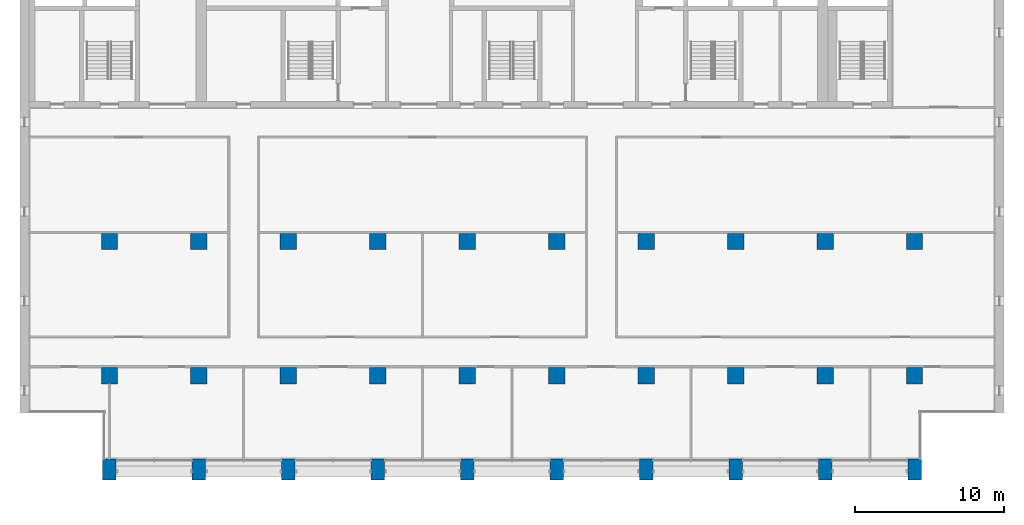
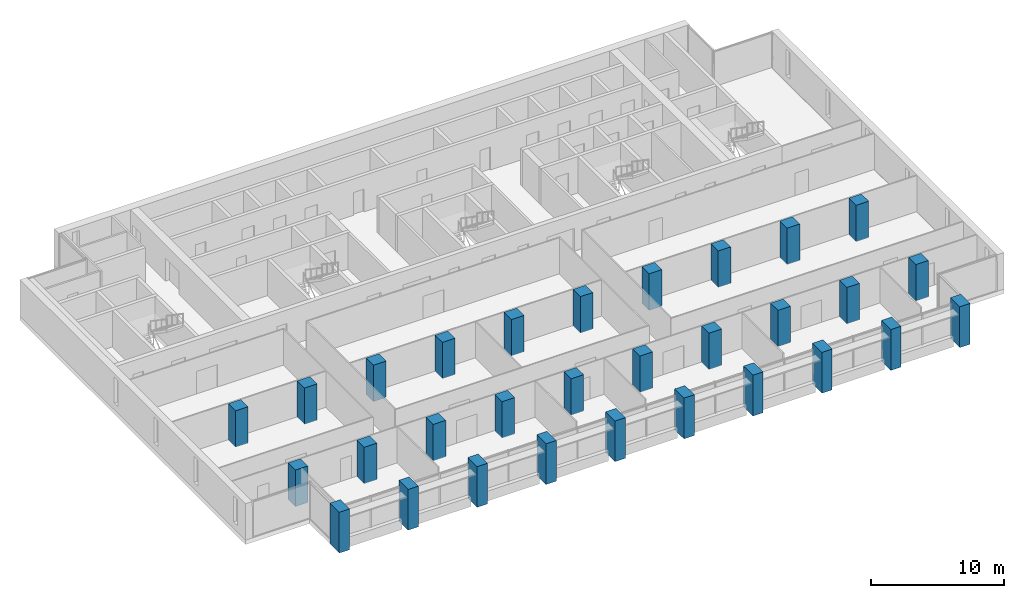
# One storey, part 1 of 17: 30 columns.
"""IFC4 building model written with IfcOpenShell, lengths in metres."""

import ifcopenshell
import ifcopenshell.guid

model = None  # the IFC model being written
_history = None  # IfcOwnerHistory: only IFC2X3 demands one
_inside = {}  # id of a spatial element -> (the spatial element, [elements in it])
_under = {}  # id of a project, library or spatial element -> (it, [spatial elements below it])
_declared = {}  # id of a project -> (the project, [libraries it declares])
_typed = {}  # id of a type object -> (the type object, [elements of that type])
_made_of = {}  # id of a material, layer set ... -> (it, [elements and type objects made of it])


def new_model(schema):
    """Start an empty IFC model of exactly this schema.

    Asked for "IFC4X3", IfcOpenShell would pick the latest addendum, in which some entities
    have other attributes; the version numbers below select the first issue.
    IFC2X3 requires an IfcOwnerHistory on every rooted entity: one is made here for all.
    """
    global model, _history
    if schema == "IFC4X3":
        model = ifcopenshell.file(schema_version=(4, 3, 0, 0))
    else:
        model = ifcopenshell.file(schema=schema)
    _inside.clear()
    _under.clear()
    _declared.clear()
    _typed.clear()
    _made_of.clear()
    _history = None
    if model.schema == "IFC2X3":
        org = make("IfcOrganization", Name="unknown")
        user = make(
            "IfcPersonAndOrganization",
            ThePerson=make("IfcPerson", FamilyName="unknown"),
            TheOrganization=org,
        )
        app = make(
            "IfcApplication",
            ApplicationDeveloper=org,
            Version="unknown",
            ApplicationFullName="unknown",
            ApplicationIdentifier="unknown",
        )
        _history = make(
            "IfcOwnerHistory",
            OwningUser=user,
            OwningApplication=app,
            ChangeAction="ADDED",
            CreationDate=0,
        )
    return model


def make(cls, **values):
    """One entity of the class cls with the attributes given. An attribute that is None is left unset."""
    return model.create_entity(
        cls, **{name: value for name, value in values.items() if value is not None}
    )


def rooted(cls, **values):
    """An entity with a GlobalId (a new one), such as an element, a storey or a relation."""
    return make(cls, GlobalId=ifcopenshell.guid.new(), OwnerHistory=_history, **values)


def si_unit(unit_type, name, prefix=None):
    """IfcSIUnit, for example si_unit("LENGTHUNIT", "METRE", prefix="MILLI")."""
    return make("IfcSIUnit", UnitType=unit_type, Prefix=prefix, Name=name)


def assignment(units):
    """IfcUnitAssignment: the units of a project."""
    return None if units is None else make("IfcUnitAssignment", Units=units)


def point(xyz):
    """IfcCartesianPoint."""
    return None if xyz is None else make("IfcCartesianPoint", Coordinates=xyz)


def direction(xyz):
    """IfcDirection."""
    return None if xyz is None else make("IfcDirection", DirectionRatios=xyz)


def frame(location, z_axis=None, x_axis=None):
    """IfcAxis2Placement3D, a coordinate frame: its origin and axes. An axis left out is left unset."""
    return make(
        "IfcAxis2Placement3D",
        Location=point(location),
        Axis=direction(z_axis),
        RefDirection=direction(x_axis),
    )


def frame_2d(location, x_axis=None):
    """IfcAxis2Placement2D, a coordinate frame in the plane: its origin and x axis."""
    return make(
        "IfcAxis2Placement2D", Location=point(location), RefDirection=direction(x_axis)
    )


def origin():
    """The frame at (0, 0, 0) with its axes left unset."""
    return frame((0.0, 0.0, 0.0))


def origin_2d():
    """The frame at (0, 0) in the plane with its x axis left unset."""
    return frame_2d((0.0, 0.0))


def place(relative_to, where):
    """IfcLocalPlacement: puts the frame where relative to a parent placement (None: the world)."""
    return make(
        "IfcLocalPlacement", PlacementRelTo=relative_to, RelativePlacement=where
    )


def context(
    kind, dimensions, precision=None, world=None, true_north=None, identifier=None
):
    """IfcGeometricRepresentationContext, for example the 3D "Model" context."""
    return make(
        "IfcGeometricRepresentationContext",
        ContextIdentifier=identifier,
        ContextType=kind,
        CoordinateSpaceDimension=dimensions,
        Precision=precision,
        WorldCoordinateSystem=world,
        TrueNorth=true_north,
    )


def subcontext(parent, identifier, kind, view, scale=None):
    """IfcGeometricRepresentationSubContext, for example "Body" below "Model"."""
    return make(
        "IfcGeometricRepresentationSubContext",
        ContextIdentifier=identifier,
        ContextType=kind,
        ParentContext=parent,
        TargetScale=scale,
        TargetView=view,
    )


def project(units=None, contexts=None):
    """IfcProject with its units and contexts."""
    return rooted(
        "IfcProject",
        Name="project",
        RepresentationContexts=contexts,
        UnitsInContext=assignment(units),
    )


def spatial(cls, under=None, at=None, **own):
    """A site, building, storey or space (cls), placed at a placement, below another one or the project."""
    s = rooted(cls, ObjectPlacement=at, **own)
    if under is not None:
        _under.setdefault(under.id(), (under, []))[1].append(s)
    return s


def profile(cls, at=None, kind="AREA", **sizes):
    """A parametric profile (cls). Its sizes go by their IFC names, for example OverallWidth=200.0."""
    return make(cls, ProfileType=kind, Position=at, **sizes)


def rectangle(**sizes):
    """IfcRectangleProfileDef."""
    return profile("IfcRectangleProfileDef", **sizes)


def extrude(swept, where, along, depth):
    """IfcExtrudedAreaSolid: the profile swept, set in the frame where, extruded along a direction by depth."""
    return make(
        "IfcExtrudedAreaSolid",
        SweptArea=swept,
        Position=where,
        ExtrudedDirection=direction(along),
        Depth=depth,
    )


def shape(context_of_items, identifier, shape_type, items):
    """IfcShapeRepresentation: the items that make up one representation, for example the "Body"."""
    return make(
        "IfcShapeRepresentation",
        ContextOfItems=context_of_items,
        RepresentationIdentifier=identifier,
        RepresentationType=shape_type,
        Items=items,
    )


def material(Name=None, Category=None):
    """IfcMaterial."""
    return make("IfcMaterial", Name=Name, Category=Category)


def material_profile(
    of_material, cross_section, Name=None, Category=None, Priority=None
):
    """IfcMaterialProfile: a cross section and its material."""
    return make(
        "IfcMaterialProfile",
        Name=Name,
        Material=of_material,
        Profile=cross_section,
        Priority=Priority,
        Category=Category,
    )


def profile_set(profiles, Name=None, composite=None):
    """IfcMaterialProfileSet."""
    return make(
        "IfcMaterialProfileSet",
        Name=Name,
        MaterialProfiles=profiles,
        CompositeProfile=composite,
    )


def made_of(thing, what):
    """Note that an element or type object is made of a material, layer set ...; save() writes the relation."""
    if what is not None:
        _made_of.setdefault(what.id(), (what, []))[1].append(thing)
    return thing


def type_object(cls, material=None, **own):
    """A type object (cls), such as IfcWallType, which elements share."""
    return made_of(rooted(cls, **own), material)


def element(
    cls,
    number,
    at=None,
    inside=None,
    cuts=None,
    type_object=None,
    material=None,
    context=None,
    identifier="Body",
    shape_type=None,
    held_by="IfcProductDefinitionShape",
    body=None,
    shapes=None,
    **own,
):
    """One element of the class cls, such as IfcWall. Its Tag is "e" and its number.

    at: its placement. inside: the storey or other place that contains it. cuts: it is an
    opening in that element (IfcRelVoidsElement). A single representation is given by context,
    identifier, shape_type and body (its items); several are given by shapes. held_by: the class
    of the entity that holds the representations. save() writes the other relations.
    """
    e = rooted(cls, Tag="e%d" % number, ObjectPlacement=at, **own)
    if body is not None:
        shapes = [shape(context, identifier, shape_type, body)]
    if shapes is not None:
        e.Representation = make(held_by, Representations=shapes)
    if inside is not None:
        _inside.setdefault(inside.id(), (inside, []))[1].append(e)
    if cuts is not None:
        rooted(
            "IfcRelVoidsElement", RelatingBuildingElement=cuts, RelatedOpeningElement=e
        )
    if type_object is not None:
        _typed.setdefault(type_object.id(), (type_object, []))[1].append(e)
    return made_of(e, material)


def aggregate(whole, parts):
    """IfcRelAggregates: a whole, such as a stair, and the parts it consists of."""
    return rooted("IfcRelAggregates", RelatingObject=whole, RelatedObjects=parts)


def save(model, path):
    """Write the relations noted so far, then the file.

    IfcRelAggregates (storeys below a building ...), IfcRelContainedInSpatialStructure (elements
    in a storey), IfcRelDefinesByType, IfcRelAssociatesMaterial and IfcRelDeclares: one each for
    every whole, place, type object, material and project.
    """
    for whole, parts in _under.values():
        aggregate(whole, parts)
    for where, things in _inside.values():
        rooted(
            "IfcRelContainedInSpatialStructure",
            RelatedElements=things,
            RelatingStructure=where,
        )
    for kind, things in _typed.values():
        rooted("IfcRelDefinesByType", RelatedObjects=things, RelatingType=kind)
    for what, things in _made_of.values():
        rooted("IfcRelAssociatesMaterial", RelatedObjects=things, RelatingMaterial=what)
    for by, libraries in _declared.values():
        rooted("IfcRelDeclares", RelatingContext=by, RelatedDefinitions=libraries)
    model.write(path)


model = new_model("IFC4")

# Units and contexts
model_context = context("Model", 3, precision=1e-05, world=origin(), true_north=direction((0.0, 1.0)))
body_context = subcontext(model_context, "Body", "Model", "MODEL_VIEW")
ifc_project = project(units=[si_unit("LENGTHUNIT", "METRE"), si_unit("AREAUNIT", "SQUARE_METRE"), si_unit("VOLUMEUNIT", "CUBIC_METRE"), si_unit("PLANEANGLEUNIT", "RADIAN"), si_unit("MASSUNIT", "GRAM", prefix="KILO")], contexts=[model_context])

# Site, building, storey
site_placement = place(None, origin())
site = spatial("IfcSite", under=ifc_project, at=site_placement, CompositionType="ELEMENT")
building_placement = place(site_placement, origin())
building = spatial("IfcBuilding", under=site, at=building_placement, Name="Calvaro Tower", CompositionType="ELEMENT")
storey_placement = place(building_placement, frame((0.0, 0.0, 196.75)))
storey = spatial("IfcBuildingStorey", under=building, at=storey_placement, Name="L49", CompositionType="ELEMENT", Elevation=196.75)

# Columns
ifc_material_1 = material(Name="Concrete C50/60", Category="concrete")
ifc_material_profile_1 = material_profile(ifc_material_1, rectangle(XDim=1.10009765625, YDim=1.10009765625, at=origin_2d()), Name="RC 1100x1100")
ifc_profile_set_1 = profile_set([ifc_material_profile_1], Name="Concrete C50/60")
column_type_1 = type_object("IfcColumnType", Name="Column 1100x1100 C50/60", PredefinedType="COLUMN", material=ifc_profile_set_1)
for number, where, z_axis, x_axis, name in (
    (1, (12.0, 10.0, 0.0), (0.0, 0.0, 1.0), (1.0, 0.0, 0.0), "Column 3B"),
    (2, (12.0, 19.0, 0.0), (0.0, 0.0, 1.0), (1.0, 0.0, 0.0), "Column 3C"),
    (3, (18.0, 10.0, 0.0), (0.0, 0.0, 1.0), (1.0, 0.0, 0.0), "Column 4B"),
    (4, (18.0, 19.0, 0.0), (0.0, 0.0, 1.0), (1.0, 0.0, 0.0), "Column 4C"),
    (5, (24.0, 10.0, 0.0), (0.0, 0.0, 1.0), (1.0, 0.0, 0.0), "Column 5B"),
    (6, (24.0, 19.0, 0.0), (0.0, 0.0, 1.0), (1.0, 0.0, 0.0), "Column 5C"),
    (7, (30.0, 10.0, 0.0), (0.0, 0.0, 1.0), (1.0, 0.0, 0.0), "Column 6B"),
    (8, (30.0, 19.0, 0.0), (0.0, 0.0, 1.0), (1.0, 0.0, 0.0), "Column 6C"),
    (9, (36.0, 10.0, 0.0), (0.0, 0.0, 1.0), (1.0, 0.0, 0.0), "Column 7B"),
    (10, (36.0, 19.0, 0.0), (0.0, 0.0, 1.0), (1.0, 0.0, 0.0), "Column 7C"),
    (11, (42.0, 10.0, 0.0), (0.0, 0.0, 1.0), (1.0, 0.0, 0.0), "Column 8B"),
    (12, (42.0, 19.0, 0.0), (0.0, 0.0, 1.0), (1.0, 0.0, 0.0), "Column 8C"),
    (13, (48.0, 10.0, 0.0), (0.0, 0.0, 1.0), (1.0, 0.0, 0.0), "Column 9B"),
    (14, (48.0, 19.0, 0.0), (0.0, 0.0, 1.0), (1.0, 0.0, 0.0), "Column 9C"),
    (15, (54.0, 10.0, 0.0), (0.0, 0.0, 1.0), (1.0, 0.0, 0.0), "Column 10B"),
    (16, (54.0, 19.0, 0.0), (0.0, 0.0, 1.0), (1.0, 0.0, 0.0), "Column 10C"),
    (17, (60.0, 10.0, 0.0), (0.0, 0.0, 1.0), (1.0, 0.0, 0.0), "Column 11B"),
    (18, (60.0, 19.0, 0.0), (0.0, 0.0, 1.0), (1.0, 0.0, 0.0), "Column 11C"),
    (19, (66.0, 10.0, 0.0), (0.0, 0.0, 1.0), (1.0, 0.0, 0.0), "Column 12B"),
    (20, (66.0, 19.0, 0.0), (0.0, 0.0, 1.0), (1.0, 0.0, 0.0), "Column 12C"),
):
    element("IfcColumn", number, at=place(storey_placement, frame(where, z_axis=z_axis, x_axis=x_axis)), inside=storey, type_object=column_type_1, Name=name, PredefinedType="COLUMN", context=body_context, shape_type="SweptSolid", body=[
        extrude(rectangle(XDim=1.10009765625, YDim=1.10009765625, at=origin_2d()), origin(), (0.0, 0.0, 1.0), 3.35009765625),
    ])
ifc_material_2 = material(Name="Concrete C50/60", Category="concrete")
ifc_material_profile_2 = material_profile(ifc_material_2, rectangle(XDim=0.89990234375, YDim=1.39990234375, at=origin_2d()), Name="RC 900x1400")
ifc_profile_set_2 = profile_set([ifc_material_profile_2], Name="Concrete C50/60")
column_type_2 = type_object("IfcColumnType", Name="Pier 900x1400 C50/60", PredefinedType="COLUMN", material=ifc_profile_set_2)
for number, where, z_axis, x_axis, name in (
    (21, (12.0, 3.699951171875, -0.39990234375), (0.0, 0.0, 1.0), (1.0, 0.0, 0.0), "South pier 3"),
    (22, (18.0, 3.699951171875, -0.39990234375), (0.0, 0.0, 1.0), (1.0, 0.0, 0.0), "South pier 4"),
    (23, (24.0, 3.699951171875, -0.39990234375), (0.0, 0.0, 1.0), (1.0, 0.0, 0.0), "South pier 5"),
    (24, (30.0, 3.699951171875, -0.39990234375), (0.0, 0.0, 1.0), (1.0, 0.0, 0.0), "South pier 6"),
    (25, (36.0, 3.699951171875, -0.39990234375), (0.0, 0.0, 1.0), (1.0, 0.0, 0.0), "South pier 7"),
    (26, (42.0, 3.699951171875, -0.39990234375), (0.0, 0.0, 1.0), (1.0, 0.0, 0.0), "South pier 8"),
    (27, (48.0, 3.699951171875, -0.39990234375), (0.0, 0.0, 1.0), (1.0, 0.0, 0.0), "South pier 9"),
    (28, (54.0, 3.699951171875, -0.39990234375), (0.0, 0.0, 1.0), (1.0, 0.0, 0.0), "South pier 10"),
    (29, (60.0, 3.699951171875, -0.39990234375), (0.0, 0.0, 1.0), (1.0, 0.0, 0.0), "South pier 11"),
    (30, (66.0, 3.699951171875, -0.39990234375), (0.0, 0.0, 1.0), (1.0, 0.0, 0.0), "South pier 12"),
):
    element("IfcColumn", number, at=place(storey_placement, frame(where, z_axis=z_axis, x_axis=x_axis)), inside=storey, type_object=column_type_2, Name=name, PredefinedType="COLUMN", context=body_context, shape_type="SweptSolid", body=[
        extrude(rectangle(XDim=0.89990234375, YDim=1.39990234375, at=origin_2d()), origin(), (0.0, 0.0, 1.0), 3.75),
    ])

save(model, "model.ifc")
